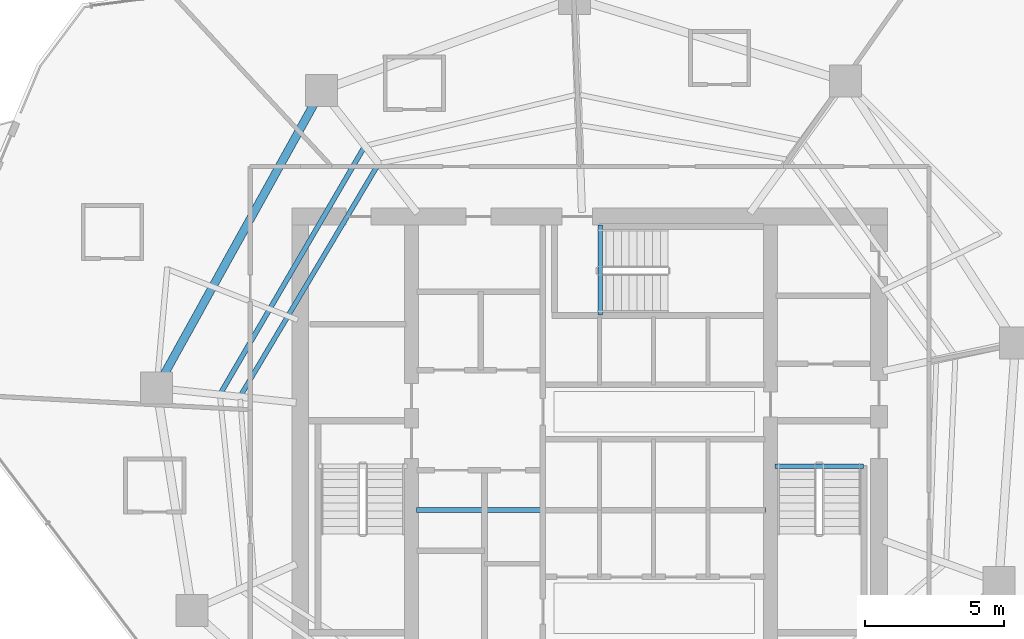
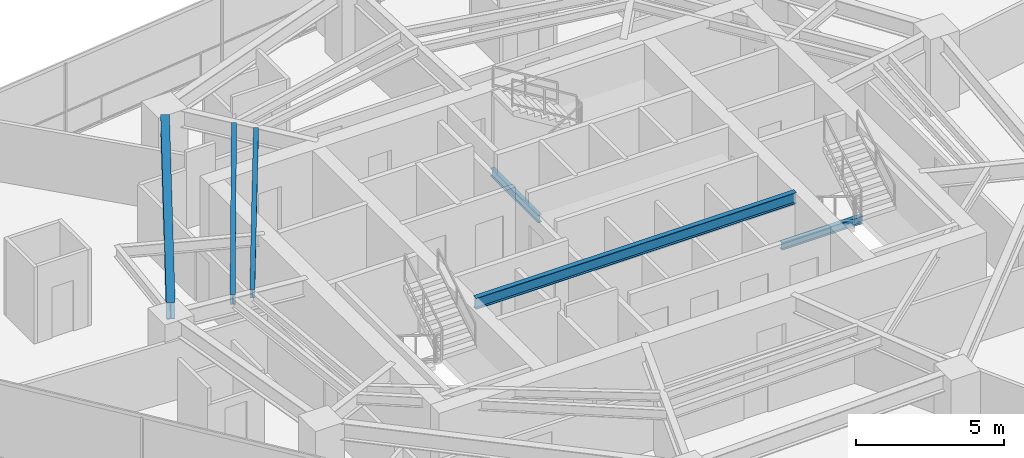
# One storey, part 10 of 30: 6 beams.
"""IFC4 building model written with IfcOpenShell, lengths in metres."""

import ifcopenshell
import ifcopenshell.guid

model = None  # the IFC model being written
_history = None  # IfcOwnerHistory: only IFC2X3 demands one
_inside = {}  # id of a spatial element -> (the spatial element, [elements in it])
_under = {}  # id of a project, library or spatial element -> (it, [spatial elements below it])
_declared = {}  # id of a project -> (the project, [libraries it declares])
_typed = {}  # id of a type object -> (the type object, [elements of that type])
_made_of = {}  # id of a material, layer set ... -> (it, [elements and type objects made of it])


def new_model(schema):
    """Start an empty IFC model of exactly this schema.

    Asked for "IFC4X3", IfcOpenShell would pick the latest addendum, in which some entities
    have other attributes; the version numbers below select the first issue.
    IFC2X3 requires an IfcOwnerHistory on every rooted entity: one is made here for all.
    """
    global model, _history
    if schema == "IFC4X3":
        model = ifcopenshell.file(schema_version=(4, 3, 0, 0))
    else:
        model = ifcopenshell.file(schema=schema)
    _inside.clear()
    _under.clear()
    _declared.clear()
    _typed.clear()
    _made_of.clear()
    _history = None
    if model.schema == "IFC2X3":
        org = make("IfcOrganization", Name="unknown")
        user = make(
            "IfcPersonAndOrganization",
            ThePerson=make("IfcPerson", FamilyName="unknown"),
            TheOrganization=org,
        )
        app = make(
            "IfcApplication",
            ApplicationDeveloper=org,
            Version="unknown",
            ApplicationFullName="unknown",
            ApplicationIdentifier="unknown",
        )
        _history = make(
            "IfcOwnerHistory",
            OwningUser=user,
            OwningApplication=app,
            ChangeAction="ADDED",
            CreationDate=0,
        )
    return model


def make(cls, **values):
    """One entity of the class cls with the attributes given. An attribute that is None is left unset."""
    return model.create_entity(
        cls, **{name: value for name, value in values.items() if value is not None}
    )


def rooted(cls, **values):
    """An entity with a GlobalId (a new one), such as an element, a storey or a relation."""
    return make(cls, GlobalId=ifcopenshell.guid.new(), OwnerHistory=_history, **values)


def si_unit(unit_type, name, prefix=None):
    """IfcSIUnit, for example si_unit("LENGTHUNIT", "METRE", prefix="MILLI")."""
    return make("IfcSIUnit", UnitType=unit_type, Prefix=prefix, Name=name)


def assignment(units):
    """IfcUnitAssignment: the units of a project."""
    return None if units is None else make("IfcUnitAssignment", Units=units)


def point(xyz):
    """IfcCartesianPoint."""
    return None if xyz is None else make("IfcCartesianPoint", Coordinates=xyz)


def direction(xyz):
    """IfcDirection."""
    return None if xyz is None else make("IfcDirection", DirectionRatios=xyz)


def frame(location, z_axis=None, x_axis=None):
    """IfcAxis2Placement3D, a coordinate frame: its origin and axes. An axis left out is left unset."""
    return make(
        "IfcAxis2Placement3D",
        Location=point(location),
        Axis=direction(z_axis),
        RefDirection=direction(x_axis),
    )


def frame_2d(location, x_axis=None):
    """IfcAxis2Placement2D, a coordinate frame in the plane: its origin and x axis."""
    return make(
        "IfcAxis2Placement2D", Location=point(location), RefDirection=direction(x_axis)
    )


def origin():
    """The frame at (0, 0, 0) with its axes left unset."""
    return frame((0.0, 0.0, 0.0))


def origin_2d():
    """The frame at (0, 0) in the plane with its x axis left unset."""
    return frame_2d((0.0, 0.0))


def place(relative_to, where):
    """IfcLocalPlacement: puts the frame where relative to a parent placement (None: the world)."""
    return make(
        "IfcLocalPlacement", PlacementRelTo=relative_to, RelativePlacement=where
    )


def context(
    kind, dimensions, precision=None, world=None, true_north=None, identifier=None
):
    """IfcGeometricRepresentationContext, for example the 3D "Model" context."""
    return make(
        "IfcGeometricRepresentationContext",
        ContextIdentifier=identifier,
        ContextType=kind,
        CoordinateSpaceDimension=dimensions,
        Precision=precision,
        WorldCoordinateSystem=world,
        TrueNorth=true_north,
    )


def subcontext(parent, identifier, kind, view, scale=None):
    """IfcGeometricRepresentationSubContext, for example "Body" below "Model"."""
    return make(
        "IfcGeometricRepresentationSubContext",
        ContextIdentifier=identifier,
        ContextType=kind,
        ParentContext=parent,
        TargetScale=scale,
        TargetView=view,
    )


def project(units=None, contexts=None):
    """IfcProject with its units and contexts."""
    return rooted(
        "IfcProject",
        Name="project",
        RepresentationContexts=contexts,
        UnitsInContext=assignment(units),
    )


def spatial(cls, under=None, at=None, **own):
    """A site, building, storey or space (cls), placed at a placement, below another one or the project."""
    s = rooted(cls, ObjectPlacement=at, **own)
    if under is not None:
        _under.setdefault(under.id(), (under, []))[1].append(s)
    return s


def profile(cls, at=None, kind="AREA", **sizes):
    """A parametric profile (cls). Its sizes go by their IFC names, for example OverallWidth=200.0."""
    return make(cls, ProfileType=kind, Position=at, **sizes)


def i_section(**sizes):
    """IfcIShapeProfileDef."""
    return profile("IfcIShapeProfileDef", **sizes)


def extrude(swept, where, along, depth):
    """IfcExtrudedAreaSolid: the profile swept, set in the frame where, extruded along a direction by depth."""
    return make(
        "IfcExtrudedAreaSolid",
        SweptArea=swept,
        Position=where,
        ExtrudedDirection=direction(along),
        Depth=depth,
    )


def shape(context_of_items, identifier, shape_type, items):
    """IfcShapeRepresentation: the items that make up one representation, for example the "Body"."""
    return make(
        "IfcShapeRepresentation",
        ContextOfItems=context_of_items,
        RepresentationIdentifier=identifier,
        RepresentationType=shape_type,
        Items=items,
    )


def material(Name=None, Category=None):
    """IfcMaterial."""
    return make("IfcMaterial", Name=Name, Category=Category)


def material_profile(
    of_material, cross_section, Name=None, Category=None, Priority=None
):
    """IfcMaterialProfile: a cross section and its material."""
    return make(
        "IfcMaterialProfile",
        Name=Name,
        Material=of_material,
        Profile=cross_section,
        Priority=Priority,
        Category=Category,
    )


def profile_set(profiles, Name=None, composite=None):
    """IfcMaterialProfileSet."""
    return make(
        "IfcMaterialProfileSet",
        Name=Name,
        MaterialProfiles=profiles,
        CompositeProfile=composite,
    )


def made_of(thing, what):
    """Note that an element or type object is made of a material, layer set ...; save() writes the relation."""
    if what is not None:
        _made_of.setdefault(what.id(), (what, []))[1].append(thing)
    return thing


def type_object(cls, material=None, **own):
    """A type object (cls), such as IfcWallType, which elements share."""
    return made_of(rooted(cls, **own), material)


def element(
    cls,
    number,
    at=None,
    inside=None,
    cuts=None,
    type_object=None,
    material=None,
    context=None,
    identifier="Body",
    shape_type=None,
    held_by="IfcProductDefinitionShape",
    body=None,
    shapes=None,
    **own,
):
    """One element of the class cls, such as IfcWall. Its Tag is "e" and its number.

    at: its placement. inside: the storey or other place that contains it. cuts: it is an
    opening in that element (IfcRelVoidsElement). A single representation is given by context,
    identifier, shape_type and body (its items); several are given by shapes. held_by: the class
    of the entity that holds the representations. save() writes the other relations.
    """
    e = rooted(cls, Tag="e%d" % number, ObjectPlacement=at, **own)
    if body is not None:
        shapes = [shape(context, identifier, shape_type, body)]
    if shapes is not None:
        e.Representation = make(held_by, Representations=shapes)
    if inside is not None:
        _inside.setdefault(inside.id(), (inside, []))[1].append(e)
    if cuts is not None:
        rooted(
            "IfcRelVoidsElement", RelatingBuildingElement=cuts, RelatedOpeningElement=e
        )
    if type_object is not None:
        _typed.setdefault(type_object.id(), (type_object, []))[1].append(e)
    return made_of(e, material)


def aggregate(whole, parts):
    """IfcRelAggregates: a whole, such as a stair, and the parts it consists of."""
    return rooted("IfcRelAggregates", RelatingObject=whole, RelatedObjects=parts)


def save(model, path):
    """Write the relations noted so far, then the file.

    IfcRelAggregates (storeys below a building ...), IfcRelContainedInSpatialStructure (elements
    in a storey), IfcRelDefinesByType, IfcRelAssociatesMaterial and IfcRelDeclares: one each for
    every whole, place, type object, material and project.
    """
    for whole, parts in _under.values():
        aggregate(whole, parts)
    for where, things in _inside.values():
        rooted(
            "IfcRelContainedInSpatialStructure",
            RelatedElements=things,
            RelatingStructure=where,
        )
    for kind, things in _typed.values():
        rooted("IfcRelDefinesByType", RelatedObjects=things, RelatingType=kind)
    for what, things in _made_of.values():
        rooted("IfcRelAssociatesMaterial", RelatedObjects=things, RelatingMaterial=what)
    for by, libraries in _declared.values():
        rooted("IfcRelDeclares", RelatingContext=by, RelatedDefinitions=libraries)
    model.write(path)


model = new_model("IFC4")

# Units and contexts
model_context = context("Model", 3, precision=1e-05, world=origin(), true_north=direction((0.0, 1.0)))
body_context = subcontext(model_context, "Body", "Model", "MODEL_VIEW")
ifc_project = project(units=[si_unit("LENGTHUNIT", "METRE"), si_unit("AREAUNIT", "SQUARE_METRE"), si_unit("VOLUMEUNIT", "CUBIC_METRE"), si_unit("PLANEANGLEUNIT", "RADIAN"), si_unit("MASSUNIT", "GRAM", prefix="KILO")], contexts=[model_context])

# Site, building, storey
site_placement = place(None, origin())
site = spatial("IfcSite", under=ifc_project, at=site_placement, CompositionType="ELEMENT")
building_placement = place(site_placement, origin())
building = spatial("IfcBuilding", under=site, at=building_placement, Name="Qarnah Convention Tower", CompositionType="ELEMENT")
storey_placement = place(building_placement, frame((0.0, 0.0, 93.60009765625)))
storey = spatial("IfcBuildingStorey", under=building, at=storey_placement, Name="L24", CompositionType="ELEMENT", Elevation=93.60009765625)

# Beams
ifc_material = material(Name="Structural steel S355JR", Category="steel")
ifc_material_profile_1 = material_profile(ifc_material, i_section(OverallWidth=0.19189453125, OverallDepth=0.464111328125, WebThickness=0.010986328125, FlangeThickness=0.01806640625, at=origin_2d()), Name="W460X89")
ifc_profile_set_1 = profile_set([ifc_material_profile_1], Name="Structural steel S355JR")
beam_type_1 = type_object("IfcBeamType", Name="BM-CANT-W460A", PredefinedType="BEAM", material=ifc_profile_set_1)
beam_1_placement = place(storey_placement, frame((30.97998046875, 23.64990234375, 2.93798828125), z_axis=(1.0, 0.0, 0.0), x_axis=(0.0, 1.0, 0.0)))
element("IfcBeam", 1, at=beam_1_placement, inside=storey, type_object=beam_type_1, Name="L24 beam BM-L24-KC1", PredefinedType="BEAM", context=body_context, shape_type="SweptSolid", body=[
    extrude(i_section(OverallWidth=0.19189453125, OverallDepth=0.464111328125, WebThickness=0.010986328125, FlangeThickness=0.01806640625, at=origin_2d()), origin(), (0.0, 0.0, 1.0), 12.5400390625),
])
ifc_material_profile_2 = material_profile(ifc_material, i_section(OverallWidth=0.166015625, OverallDepth=0.31201171875, WebThickness=0.007080078125, FlangeThickness=0.010986328125, at=origin_2d()), Name="W310X45")
ifc_profile_set_2 = profile_set([ifc_material_profile_2], Name="Structural steel S355JR")
beam_type_2 = type_object("IfcBeamType", Name="BM-JST-W310", PredefinedType="JOIST", material=ifc_profile_set_2)
beam_2_placement = place(storey_placement, frame((43.860107421875, 25.217041015625, -0.156005859375), z_axis=(1.0, 0.0, 0.0), x_axis=(0.0, 1.0, 0.0)))
element("IfcBeam", 2, at=beam_2_placement, inside=storey, type_object=beam_type_2, Name="L24 stair landing trimmer beam BM-L24-ST2-TRM", PredefinedType="BEAM", context=body_context, shape_type="SweptSolid", body=[
    extrude(i_section(OverallWidth=0.166015625, OverallDepth=0.31201171875, WebThickness=0.007080078125, FlangeThickness=0.010986328125, at=origin_2d()), origin(), (0.0, 0.0, 1.0), 3.179931640625),
])
beam_3_placement = place(storey_placement, frame((37.5830078125, 30.659912109375, -0.156005859375), z_axis=(0.0, 1.0, 0.0), x_axis=(-1.0, 0.0, 0.0)))
element("IfcBeam", 3, at=beam_3_placement, inside=storey, type_object=beam_type_2, Name="L24 stair landing trimmer beam BM-L24-ST3-TRM", PredefinedType="BEAM", context=body_context, shape_type="SweptSolid", body=[
    extrude(i_section(OverallWidth=0.166015625, OverallDepth=0.31201171875, WebThickness=0.007080078125, FlangeThickness=0.010986328125, at=origin_2d()), origin(), (0.0, 0.0, 1.0), 3.239990234375),
])
ifc_material_profile_3 = material_profile(ifc_material, i_section(OverallWidth=0.172119140625, OverallDepth=0.35595703125, WebThickness=0.007080078125, FlangeThickness=0.011962890625, at=origin_2d()), Name="W360X51")
ifc_profile_set_3 = profile_set([ifc_material_profile_3], Name="Structural steel S355JR")
beam_type_3 = type_object("IfcBeamType", Name="BM-JST-W360", PredefinedType="JOIST", material=ifc_profile_set_3)
beam_4_placement = place(storey_placement, frame((29.572998046875, 36.02587890625, 2.991943359375), z_axis=(-0.511368642738, -0.859361455515, 0.0), x_axis=(0.859361455515, -0.511368642738, 0.0)))
element("IfcBeam", 4, at=beam_4_placement, inside=storey, type_object=beam_type_3, Name="L24 joist BM-L24-IJST-04", PredefinedType="JOIST", context=body_context, shape_type="SweptSolid", body=[
    extrude(i_section(OverallWidth=0.172119140625, OverallDepth=0.35595703125, WebThickness=0.007080078125, FlangeThickness=0.011962890625, at=origin_2d()), origin(), (0.0, 0.0, 1.0), 9.57421875),
])
ifc_material_profile_4 = material_profile(ifc_material, i_section(OverallWidth=0.177978515625, OverallDepth=0.407958984375, WebThickness=0.008056640625, FlangeThickness=0.012939453125, at=origin_2d()), Name="W410X60")
ifc_profile_set_4 = profile_set([ifc_material_profile_4], Name="Structural steel S355JR")
beam_type_4 = type_object("IfcBeamType", Name="BM-JST-W410", PredefinedType="JOIST", material=ifc_profile_set_4)
beam_5_placement = place(storey_placement, frame((29.077880859375, 36.659912109375, 2.9658203125), z_axis=(-0.503905353002, -0.863758875622, 0.0), x_axis=(0.863758875622, -0.503905353002, 0.0)))
element("IfcBeam", 5, at=beam_5_placement, inside=storey, type_object=beam_type_4, Name="L24 joist BM-L24-SJST-04", PredefinedType="JOIST", context=body_context, shape_type="SweptSolid", body=[
    extrude(i_section(OverallWidth=0.177978515625, OverallDepth=0.407958984375, WebThickness=0.008056640625, FlangeThickness=0.012939453125, at=origin_2d()), origin(), (0.0, 0.0, 1.0), 10.170654296875),
])
ifc_material_profile_5 = material_profile(ifc_material, i_section(OverallWidth=0.300048828125, OverallDepth=0.699951171875, WebThickness=0.01708984375, FlangeThickness=0.031982421875, at=origin_2d()), Name="HEB700")
ifc_profile_set_5 = profile_set([ifc_material_profile_5], Name="Structural steel S355JR")
beam_type_5 = type_object("IfcBeamType", Name="BM-RING-HEB700", PredefinedType="BEAM", material=ifc_profile_set_5)
beam_6_placement = place(storey_placement, frame((27.291015625, 38.238037109375, 2.81982421875), z_axis=(-0.484800448222, -0.874624791212, 0.0), x_axis=(0.874624791212, -0.484800448222, 0.0)))
element("IfcBeam", 6, at=beam_6_placement, inside=storey, type_object=beam_type_5, Name="L24 beam BM-L24-SPN-04", PredefinedType="BEAM", context=body_context, shape_type="SweptSolid", body=[
    extrude(i_section(OverallWidth=0.300048828125, OverallDepth=0.699951171875, WebThickness=0.01708984375, FlangeThickness=0.031982421875, at=origin_2d()), origin(), (0.0, 0.0, 1.0), 11.099609375),
])

save(model, "model.ifc")
